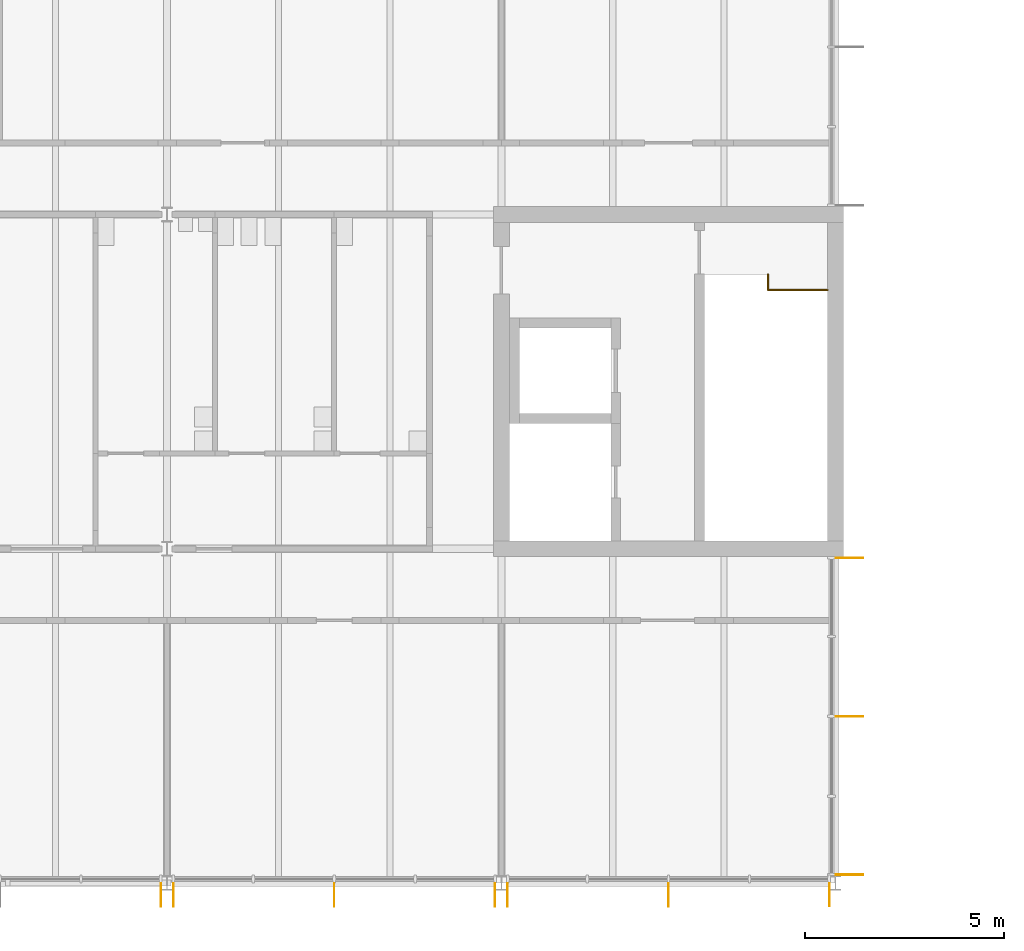
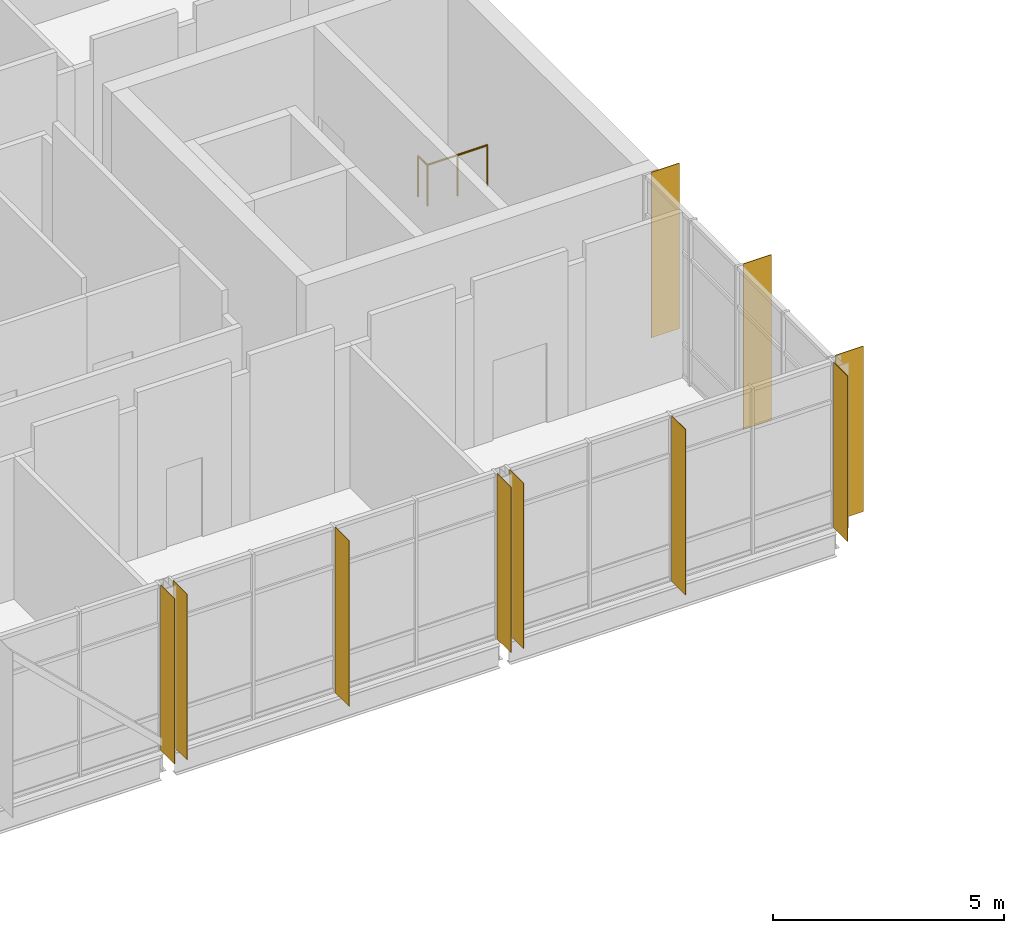
# One storey, part 62 of 72: 10 shading devices, 1 railing.
"""IFC4 building model written with IfcOpenShell, lengths in metres."""

from ifc_helpers import new_model, si_unit, direction, frame, origin, origin_2d, place, context, subcontext, project, spatial, rectangle, circle, extrude, material, layer, layer_set, type_object, element, save


model = new_model("IFC4")

# Units and contexts
model_context = context("Model", 3, precision=1e-05, world=origin(), true_north=direction((0.0, 1.0)))
body_context = subcontext(model_context, "Body", "Model", "MODEL_VIEW")
ifc_project = project(units=[si_unit("LENGTHUNIT", "METRE"), si_unit("AREAUNIT", "SQUARE_METRE"), si_unit("VOLUMEUNIT", "CUBIC_METRE"), si_unit("PLANEANGLEUNIT", "RADIAN"), si_unit("MASSUNIT", "GRAM", prefix="KILO")], contexts=[model_context])

# Site, building, storey
site_placement = place(None, origin())
site = spatial("IfcSite", under=ifc_project, at=site_placement, CompositionType="ELEMENT")
building_placement = place(site_placement, origin())
building = spatial("IfcBuilding", under=site, at=building_placement, Name="Hlaing Beacon Police Headquarters", CompositionType="ELEMENT")
storey_placement = place(building_placement, frame((0.0, 0.0, 14.39990234375)))
storey = spatial("IfcBuildingStorey", under=building, at=storey_placement, Name="L03", CompositionType="ELEMENT", Elevation=14.39990234375)

# Shading devices
ifc_material_1 = material(Name="Aluminium 6063-T5 anodised", Category="aluminium")
ifc_layer_1 = layer(ifc_material_1, 0.011962890625)
ifc_layer_set_1 = layer_set([ifc_layer_1], Name="Aluminium 6063-T5 anodised")
shading_device_type_1 = type_object("IfcShadingDeviceType", Name="Aluminium fin 12x600", PredefinedType="JALOUSIE", material=ifc_layer_set_1)
for number, where, z_axis, x_axis, name in (
    (1, (41.841796875, 8.10009765625, 0.0), (0.0, 0.0, 1.0), (1.0, 0.0, 0.0), "Fin L03 S018.4"),
    (2, (42.158203125, 8.10009765625, 0.0), (0.0, 0.0, 1.0), (1.0, 0.0, 0.0), "Fin L03 S019.0"),
    (3, (46.20068359375, 8.10009765625, 0.0), (0.0, 0.0, 1.0), (1.0, 0.0, 0.0), "Fin L03 S019.2"),
    (4, (50.242919921875, 8.10009765625, 0.0), (0.0, 0.0, 1.0), (1.0, 0.0, 0.0), "Fin L03 S019.4"),
    (5, (50.556884765625, 8.10009765625, 0.0), (0.0, 0.0, 1.0), (1.0, 0.0, 0.0), "Fin L03 S020.0"),
    (6, (54.60009765625, 8.10009765625, 0.0), (0.0, 0.0, 1.0), (1.0, 0.0, 0.0), "Fin L03 S020.2"),
    (7, (58.64306640625, 8.10009765625, 0.0), (0.0, 0.0, 1.0), (1.0, 0.0, 0.0), "Fin L03 S020.4"),
):
    element("IfcShadingDevice", number, at=place(storey_placement, frame(where, z_axis=z_axis, x_axis=x_axis)), inside=storey, type_object=shading_device_type_1, Name=name, PredefinedType="JALOUSIE", context=body_context, shape_type="SweptSolid", body=[
        extrude(rectangle(XDim=0.011962890625, YDim=0.60009765625, at=origin_2d()), origin(), (0.0, 0.0, 1.0), 4.3701171875),
    ])
ifc_material_2 = material(Name="Aluminium 6063-T5 anodised", Category="aluminium")
ifc_layer_2 = layer(ifc_material_2, 0.01611328125)
ifc_layer_set_2 = layer_set([ifc_layer_2], Name="Aluminium 6063-T5 anodised")
shading_device_type_2 = type_object("IfcShadingDeviceType", Name="Aluminium fin 16x700", PredefinedType="JALOUSIE", material=ifc_layer_set_2)
for number, where, z_axis, x_axis, name in (
    (8, (59.14990234375, 8.6064453125, 0.0), (0.0, 0.0, 1.0), (0.0, 1.0, 0.0), "Fin L03 E013.0"),
    (9, (59.14990234375, 12.58837890625, 0.0), (0.0, 0.0, 1.0), (0.0, 1.0, 0.0), "Fin L03 E013.2"),
    (10, (59.14990234375, 16.570068359375, 0.0), (0.0, 0.0, 1.0), (0.0, 1.0, 0.0), "Fin L03 E013.4"),
):
    element("IfcShadingDevice", number, at=place(storey_placement, frame(where, z_axis=z_axis, x_axis=x_axis)), inside=storey, type_object=shading_device_type_2, Name=name, PredefinedType="JALOUSIE", context=body_context, shape_type="SweptSolid", body=[
        extrude(rectangle(XDim=0.01611328125, YDim=0.699951171875, at=origin_2d()), origin(), (0.0, 0.0, 1.0), 4.3701171875),
    ])

# Railing
ifc_material_3 = material(Name="Stainless steel", Category="steel")
railing_type = type_object("IfcRailingType", Name="Stair guard 1100", PredefinedType="GUARDRAIL", material=ifc_material_3)
railing_placement = place(storey_placement, frame((58.60009765625, 23.300048828125, 0.0)))
element("IfcRailing", 11, at=railing_placement, inside=storey, type_object=railing_type, Name="Guard ST-K", PredefinedType="GUARDRAIL", context=body_context, shape_type="SweptSolid", body=[
    extrude(circle(Radius=0.02392578125, at=origin_2d()), frame((0.0, 0.0, 1.076171875), z_axis=(-1.0, 0.0, 0.0), x_axis=(0.0, -1.0, 0.0)), (0.0, 0.0, 1.0), 1.5),
    extrude(circle(Radius=0.02392578125, at=origin_2d()), frame((-1.5, 0.0, 1.076171875), z_axis=(0.0, 1.0, 0.0), x_axis=(-1.0, 0.0, 0.0)), (0.0, 0.0, 1.0), 0.39990234375),
    extrude(circle(Radius=0.02099609375, at=origin_2d()), origin(), (0.0, 0.0, 1.0), 1.052001953125),
    extrude(circle(Radius=0.02099609375, at=origin_2d()), frame((-0.75, 0.0, 0.0)), (0.0, 0.0, 1.0), 1.052001953125),
    extrude(circle(Radius=0.02099609375, at=origin_2d()), frame((-1.5, 0.0, 0.0)), (0.0, 0.0, 1.0), 1.052001953125),
    extrude(circle(Radius=0.02099609375, at=origin_2d()), frame((-1.5, 0.39990234375, 0.0)), (0.0, 0.0, 1.0), 1.052001953125),
])

save(model, "model.ifc")
